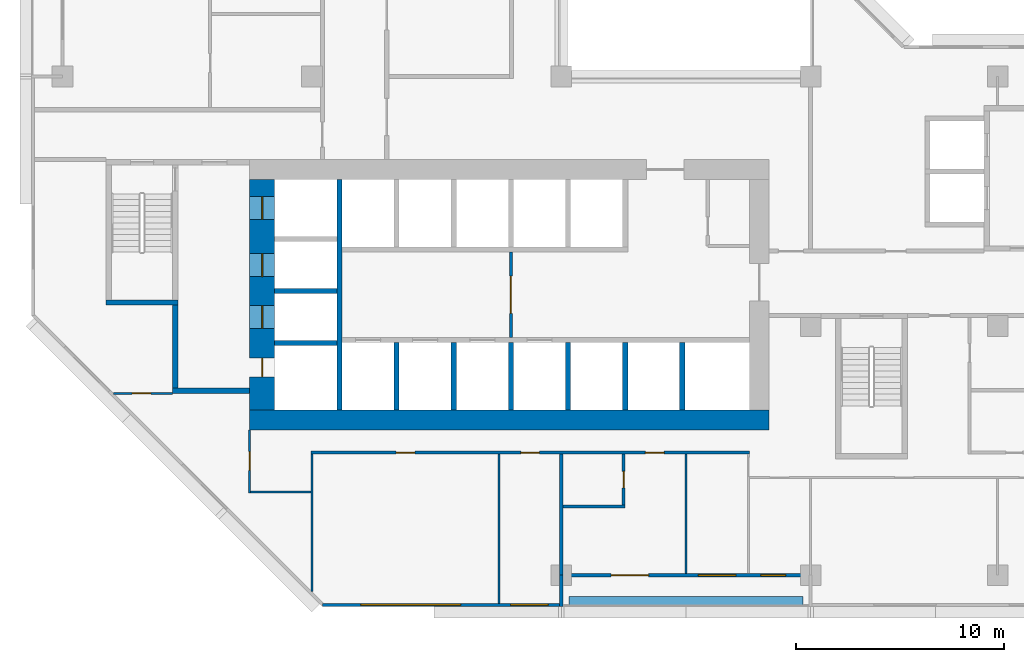
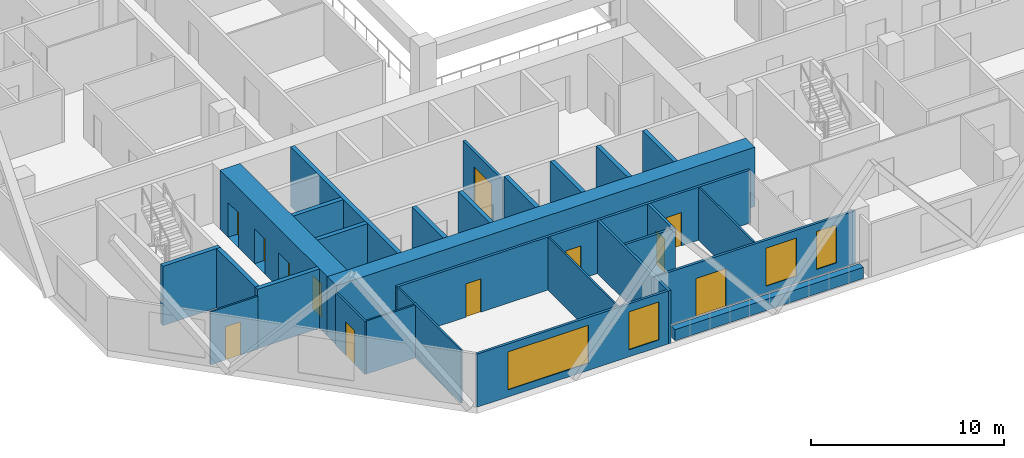
# One storey, part 4 of 14: 29 walls, 12 doors, 4 windows, 16 openings.
"""IFC4 building model written with IfcOpenShell, lengths in metres."""

from ifc_helpers import new_model, si_unit, direction, frame, frame_2d, origin, place, context, subcontext, project, spatial, rectangle, extrude, material, layer, layer_set, type_object, element, fill, save


model = new_model("IFC4")

# Units and contexts
model_context = context("Model", 3, precision=1e-05, world=origin(), true_north=direction((0.0, 1.0)))
body_context = subcontext(model_context, "Body", "Model", "MODEL_VIEW")
ifc_project = project(units=[si_unit("LENGTHUNIT", "METRE"), si_unit("AREAUNIT", "SQUARE_METRE"), si_unit("VOLUMEUNIT", "CUBIC_METRE"), si_unit("PLANEANGLEUNIT", "RADIAN"), si_unit("MASSUNIT", "GRAM", prefix="KILO")], contexts=[model_context])

# Site, building, storey
site_placement = place(None, origin())
site = spatial("IfcSite", under=ifc_project, at=site_placement, CompositionType="ELEMENT")
building_placement = place(site_placement, origin())
building = spatial("IfcBuilding", under=site, at=building_placement, Name="Chenar Terraces", CompositionType="ELEMENT")
storey_placement = place(building_placement, frame((0.0, 0.0, 91.89990234375)))
storey = spatial("IfcBuildingStorey", under=building, at=storey_placement, Name="L20", CompositionType="ELEMENT", Elevation=91.89990234375)

# Wall, opening, door
ifc_material_1 = material(Name="Gypsum board on steel studs", Category="steel")
ifc_layer_1 = layer(ifc_material_1, 0.14990234375)
ifc_layer_set_1 = layer_set([ifc_layer_1], Name="Gypsum board on steel studs")
wall_type_1 = type_object("IfcWallType", Name="Core partition 150 gypsum board", PredefinedType="PARTITIONING", material=ifc_layer_set_1)
wall_1_placement = place(storey_placement, frame((21.574951171875, 11.449951171875, 0.0), z_axis=(0.0, 0.0, 1.0), x_axis=(0.0, 1.0, 0.0)))
wall_1 = element("IfcWall", 1, at=wall_1_placement, inside=storey, type_object=wall_type_1, Name="Core partition CP1 lift lobby smoke stop", PredefinedType="PARTITIONING", context=body_context, shape_type="SweptSolid", body=[
    extrude(rectangle(XDim=4.10009765625, YDim=0.14990234375, at=frame_2d((2.050048828125, 0.0))), origin(), (0.0, 0.0, 1.0), 3.35009765625),
])
opening_1_placement = place(wall_1_placement, frame((1.14990234375, 0.0, 0.0)))
opening_1 = element("IfcOpeningElement", 2, at=opening_1_placement, cuts=wall_1, Name="Opening DL20-C12", PredefinedType="OPENING", context=body_context, shape_type="SweptSolid", body=[
    extrude(rectangle(XDim=1.800048828125, YDim=2.39990234375, at=frame_2d((0.89990234375, 1.199951171875))), frame((0.0, 0.0849609375, 0.0), z_axis=(0.0, -1.0, 0.0), x_axis=(1.0, 0.0, 0.0)), (0.0, 0.0, 1.0), 0.169921875),
])
ifc_material_2 = material(Name="Steel-framed fire-resisting door leaf", Category="steel")
door_type_1 = type_object("IfcDoorType", Name="Core entrance double fire door FD60 1800 x 2400", OperationType="DOUBLE_DOOR_SINGLE_SWING", PredefinedType="DOOR", material=ifc_material_2)
door_1_placement = place(opening_1_placement, frame((1.800048828125, 0.0, 0.0), z_axis=(0.0, 0.0, 1.0), x_axis=(-1.0, 0.0, 0.0)))
door_1 = element("IfcDoor", 3, at=door_1_placement, inside=storey, type_object=door_type_1, Name="Core door DL20-C12", OperationType="DOUBLE_DOOR_SINGLE_SWING", OverallHeight=2.39990234375, OverallWidth=1.800048828125, PredefinedType="DOOR", context=body_context, shape_type="SweptSolid", body=[
    extrude(rectangle(XDim=1.800048828125, YDim=2.39990234375, at=frame_2d((0.89990234375, 1.199951171875))), frame((0.0, 0.02490234375, 0.0), z_axis=(0.0, -1.0, 0.0), x_axis=(1.0, 0.0, 0.0)), (0.0, 0.0, 1.0), 0.050048828125),
])
fill(opening_1, door_1)

# Wall, openings, doors
ifc_material_3 = material(Name="Concrete C70/85", Category="concrete")
ifc_layer_2 = layer(ifc_material_3, 1.199951171875)
ifc_layer_set_2 = layer_set([ifc_layer_2], Name="Concrete C70/85")
wall_type_2 = type_object("IfcWallType", Name="Core wall 1200 Concrete C70/85", PredefinedType="SHEAR", material=ifc_layer_set_2)
wall_2_placement = place(storey_placement, frame((9.60009765625, 7.949951171875, 0.0), z_axis=(0.0, 0.0, 1.0), x_axis=(0.0, 1.0, 0.0)))
wall_2 = element("IfcWall", 4, at=wall_2_placement, inside=storey, type_object=wall_type_2, Name="Core wall W L20", PredefinedType="SHEAR", context=body_context, shape_type="SweptSolid", body=[
    extrude(rectangle(XDim=11.10009765625, YDim=1.199951171875, at=frame_2d((5.550048828125, 0.0))), origin(), (0.0, 0.0, 1.0), 3.75),
])
opening_2_placement = place(wall_2_placement, frame((3.925048828125, 0.0, 0.0)))
opening_2 = element("IfcOpeningElement", 5, at=opening_2_placement, cuts=wall_2, Name="Opening DL20-LD5", PredefinedType="OPENING", context=body_context, shape_type="SweptSolid", body=[
    extrude(rectangle(XDim=1.10009765625, YDim=2.199951171875, at=frame_2d((0.550048828125, 1.10009765625))), frame((0.0, 0.60986328125, 0.0), z_axis=(0.0, -1.0, 0.0), x_axis=(1.0, 0.0, 0.0)), (0.0, 0.0, 1.0), 1.219970703125),
])
opening_3_placement = place(wall_2_placement, frame((6.425048828125, 0.0, 0.0)))
opening_3 = element("IfcOpeningElement", 6, at=opening_3_placement, cuts=wall_2, Name="Opening DL20-LD6", PredefinedType="OPENING", context=body_context, shape_type="SweptSolid", body=[
    extrude(rectangle(XDim=1.10009765625, YDim=2.199951171875, at=frame_2d((0.550048828125, 1.10009765625))), frame((0.0, 0.60986328125, 0.0), z_axis=(0.0, -1.0, 0.0), x_axis=(1.0, 0.0, 0.0)), (0.0, 0.0, 1.0), 1.219970703125),
])
opening_4_placement = place(wall_2_placement, frame((9.175048828125, 0.0, 0.0)))
opening_4 = element("IfcOpeningElement", 7, at=opening_4_placement, cuts=wall_2, Name="Opening DL20-LD7", PredefinedType="OPENING", context=body_context, shape_type="SweptSolid", body=[
    extrude(rectangle(XDim=1.10009765625, YDim=2.199951171875, at=frame_2d((0.550048828125, 1.10009765625))), frame((0.0, 0.60986328125, 0.0), z_axis=(0.0, -1.0, 0.0), x_axis=(1.0, 0.0, 0.0)), (0.0, 0.0, 1.0), 1.219970703125),
])
opening_5_placement = place(wall_2_placement, frame((1.60009765625, 0.0, 0.0)))
opening_5 = element("IfcOpeningElement", 8, at=opening_5_placement, cuts=wall_2, Name="Opening DL20-C4", PredefinedType="OPENING", context=body_context, shape_type="SweptSolid", body=[
    extrude(rectangle(XDim=0.89990234375, YDim=2.10009765625, at=frame_2d((0.449951171875, 1.050048828125))), frame((0.0, 0.60986328125, 0.0), z_axis=(0.0, -1.0, 0.0), x_axis=(1.0, 0.0, 0.0)), (0.0, 0.0, 1.0), 1.219970703125),
])
ifc_material_4 = material(Name="Stainless steel", Category="steel")
door_type_2 = type_object("IfcDoorType", Name="Lift landing door 1100 x 2200 sliding", OperationType="DOUBLE_DOOR_SLIDING", PredefinedType="DOOR", material=ifc_material_4)
door_2_placement = place(opening_2_placement, origin())
door_2 = element("IfcDoor", 9, at=door_2_placement, inside=storey, type_object=door_type_2, Name="Landing door S1", OperationType="DOUBLE_DOOR_SLIDING", OverallHeight=2.199951171875, OverallWidth=1.10009765625, PredefinedType="DOOR", context=body_context, shape_type="SweptSolid", body=[
    extrude(rectangle(XDim=1.10009765625, YDim=2.199951171875, at=frame_2d((0.550048828125, 1.10009765625))), frame((0.0, 0.02490234375, 0.0), z_axis=(0.0, -1.0, 0.0), x_axis=(1.0, 0.0, 0.0)), (0.0, 0.0, 1.0), 0.050048828125),
])
fill(opening_2, door_2)
door_3_placement = place(opening_3_placement, origin())
door_3 = element("IfcDoor", 10, at=door_3_placement, inside=storey, type_object=door_type_2, Name="Landing door F1", OperationType="DOUBLE_DOOR_SLIDING", OverallHeight=2.199951171875, OverallWidth=1.10009765625, PredefinedType="DOOR", context=body_context, shape_type="SweptSolid", body=[
    extrude(rectangle(XDim=1.10009765625, YDim=2.199951171875, at=frame_2d((0.550048828125, 1.10009765625))), frame((0.0, 0.02490234375, 0.0), z_axis=(0.0, -1.0, 0.0), x_axis=(1.0, 0.0, 0.0)), (0.0, 0.0, 1.0), 0.050048828125),
])
fill(opening_3, door_3)
door_4_placement = place(opening_4_placement, origin())
door_4 = element("IfcDoor", 11, at=door_4_placement, inside=storey, type_object=door_type_2, Name="Landing door F2", OperationType="DOUBLE_DOOR_SLIDING", OverallHeight=2.199951171875, OverallWidth=1.10009765625, PredefinedType="DOOR", context=body_context, shape_type="SweptSolid", body=[
    extrude(rectangle(XDim=1.10009765625, YDim=2.199951171875, at=frame_2d((0.550048828125, 1.10009765625))), frame((0.0, 0.02490234375, 0.0), z_axis=(0.0, -1.0, 0.0), x_axis=(1.0, 0.0, 0.0)), (0.0, 0.0, 1.0), 0.050048828125),
])
fill(opening_4, door_4)
ifc_material_5 = material(Name="Steel-framed fire-resisting door leaf", Category="steel")
door_type_3 = type_object("IfcDoorType", Name="Riser fire door FD60 900 x 2100", OperationType="SINGLE_SWING_LEFT", PredefinedType="DOOR", material=ifc_material_5)
door_5_placement = place(opening_5_placement, frame((0.89990234375, 0.0, 0.0), z_axis=(0.0, 0.0, 1.0), x_axis=(-1.0, 0.0, 0.0)))
door_5 = element("IfcDoor", 12, at=door_5_placement, inside=storey, type_object=door_type_3, Name="Riser door DL20-C4", OperationType="SINGLE_SWING_LEFT", OverallHeight=2.10009765625, OverallWidth=0.89990234375, PredefinedType="DOOR", context=body_context, shape_type="SweptSolid", body=[
    extrude(rectangle(XDim=0.89990234375, YDim=2.10009765625, at=frame_2d((0.449951171875, 1.050048828125))), frame((0.0, 0.02490234375, 0.0), z_axis=(0.0, -1.0, 0.0), x_axis=(1.0, 0.0, 0.0)), (0.0, 0.0, 1.0), 0.050048828125),
])
fill(opening_5, door_5)

# Walls
ifc_material_6 = material(Name="Concrete C70/85", Category="concrete")
ifc_layer_3 = layer(ifc_material_6, 0.25)
ifc_layer_set_3 = layer_set([ifc_layer_3], Name="Concrete C70/85")
wall_type_3 = type_object("IfcWallType", Name="Core wall 250 Concrete C70/85", PredefinedType="SHEAR", material=ifc_layer_set_3)
wall_3_placement = place(storey_placement, frame((13.324951171875, 7.949951171875, 0.0), z_axis=(0.0, 0.0, 1.0), x_axis=(0.0, 1.0, 0.0)))
element("IfcWall", 13, at=wall_3_placement, inside=storey, type_object=wall_type_3, Name="Core wall WI L20", PredefinedType="SHEAR", context=body_context, shape_type="SweptSolid", body=[
    extrude(rectangle(XDim=11.10009765625, YDim=0.25, at=frame_2d((5.550048828125, 0.0))), origin(), (0.0, 0.0, 1.0), 3.75),
])
for number, where, z_axis, x_axis, name in (
    (14, (10.199951171875, 11.175048828125, 0.0), (0.0, 0.0, 1.0), (1.0, 0.0, 0.0), "Core wall HW0 L20"),
    (15, (10.199951171875, 13.675048828125, 0.0), (0.0, 0.0, 1.0), (1.0, 0.0, 0.0), "Core wall HW1 L20"),
):
    element("IfcWall", number, at=place(storey_placement, frame(where, z_axis=z_axis, x_axis=x_axis)), inside=storey, type_object=wall_type_3, Name=name, PredefinedType="SHEAR", context=body_context, shape_type="SweptSolid", body=[
        extrude(rectangle(XDim=3.0, YDim=0.25, at=frame_2d((1.5, 0.0))), origin(), (0.0, 0.0, 1.0), 3.75),
    ])
for number, where, z_axis, x_axis, name in (
    (16, (16.074951171875, 7.949951171875, 0.0), (0.0, 0.0, 1.0), (0.0, 1.0, 0.0), "Core wall SS0 L20"),
    (17, (18.824951171875, 7.949951171875, 0.0), (0.0, 0.0, 1.0), (0.0, 1.0, 0.0), "Core wall SS1 L20"),
    (18, (21.574951171875, 7.949951171875, 0.0), (0.0, 0.0, 1.0), (0.0, 1.0, 0.0), "Core wall SS2 L20"),
    (19, (24.324951171875, 7.949951171875, 0.0), (0.0, 0.0, 1.0), (0.0, 1.0, 0.0), "Core wall SS3 L20"),
    (20, (27.074951171875, 7.949951171875, 0.0), (0.0, 0.0, 1.0), (0.0, 1.0, 0.0), "Core wall SS4 L20"),
    (21, (29.824951171875, 7.949951171875, 0.0), (0.0, 0.0, 1.0), (0.0, 1.0, 0.0), "Core wall SS5 L20"),
):
    element("IfcWall", number, at=place(storey_placement, frame(where, z_axis=z_axis, x_axis=x_axis)), inside=storey, type_object=wall_type_3, Name=name, PredefinedType="SHEAR", context=body_context, shape_type="SweptSolid", body=[
        extrude(rectangle(XDim=3.25, YDim=0.25, at=frame_2d((1.625, 0.0))), origin(), (0.0, 0.0, 1.0), 3.75),
    ])
wall_4_placement = place(storey_placement, frame((2.10009765625, 13.125, 0.0), z_axis=(0.0, 0.0, 1.0), x_axis=(1.0, 0.0, 0.0)))
element("IfcWall", 22, at=wall_4_placement, inside=storey, type_object=wall_type_3, Name="Core wall ST1_S L20", PredefinedType="SHEAR", context=body_context, shape_type="SweptSolid", body=[
    extrude(rectangle(XDim=3.449951171875, YDim=0.25, at=frame_2d((1.72509765625, 0.0))), origin(), (0.0, 0.0, 1.0), 3.75),
])
wall_5_placement = place(storey_placement, frame((5.300048828125, 8.875, 0.0), z_axis=(0.0, 0.0, 1.0), x_axis=(1.0, 0.0, 0.0)))
element("IfcWall", 23, at=wall_5_placement, inside=storey, type_object=wall_type_3, Name="Core wall FFL_S L20", PredefinedType="SHEAR", context=body_context, shape_type="SweptSolid", body=[
    extrude(rectangle(XDim=3.699951171875, YDim=0.25, at=frame_2d((1.85009765625, 0.0))), origin(), (0.0, 0.0, 1.0), 3.75),
])
wall_6_placement = place(storey_placement, frame((5.425048828125, 9.0, 0.0), z_axis=(0.0, 0.0, 1.0), x_axis=(0.0, 1.0, 0.0)))
element("IfcWall", 24, at=wall_6_placement, inside=storey, type_object=wall_type_3, Name="Core wall FFL_W L20", PredefinedType="SHEAR", context=body_context, shape_type="SweptSolid", body=[
    extrude(rectangle(XDim=4.0, YDim=0.25, at=frame_2d((2.0, 0.0))), origin(), (0.0, 0.0, 1.0), 3.75),
])
ifc_material_7 = material(Name="Concrete C70/85", Category="concrete")
ifc_layer_4 = layer(ifc_material_7, 0.949951171875)
ifc_layer_set_4 = layer_set([ifc_layer_4], Name="Concrete C70/85")
wall_type_4 = type_object("IfcWallType", Name="Core wall 950 Concrete C70/85", PredefinedType="SHEAR", material=ifc_layer_set_4)
wall_7_placement = place(storey_placement, frame((9.0, 7.47509765625, 0.0), z_axis=(0.0, 0.0, 1.0), x_axis=(1.0, 0.0, 0.0)))
element("IfcWall", 25, at=wall_7_placement, inside=storey, type_object=wall_type_4, Name="Core wall S L20", PredefinedType="SHEAR", context=body_context, shape_type="SweptSolid", body=[
    extrude(rectangle(XDim=25.0, YDim=0.949951171875, at=frame_2d((12.5, 0.0))), origin(), (0.0, 0.0, 1.0), 3.75),
])

# Wall, openings, windows
ifc_material_8 = material(Name="Aluminium framed glazing", Category="aluminium")
ifc_layer_5 = layer(ifc_material_8, 0.14990234375)
ifc_layer_set_5 = layer_set([ifc_layer_5], Name="Aluminium framed glazing")
wall_type_5 = type_object("IfcWallType", Name="Glazed flush facade wall 150", PredefinedType="SOLIDWALL", material=ifc_layer_set_5)
wall_8_placement = place(storey_placement, frame((12.5, -1.425048828125, 0.0), z_axis=(0.0, 0.0, 1.0), x_axis=(1.0, 0.0, 0.0)))
wall_8 = element("IfcWall", 26, at=wall_8_placement, inside=storey, type_object=wall_type_5, Name="Glazed flush facade wall", PredefinedType="SOLIDWALL", context=body_context, shape_type="SweptSolid", body=[
    extrude(rectangle(XDim=11.425048828125, YDim=0.14990234375, at=frame_2d((5.71240234375, 0.0))), origin(), (0.0, 0.0, 1.0), 3.35009765625),
])
opening_6_placement = place(wall_8_placement, frame((1.85009765625, 0.0, 0.449951171875)))
opening_6 = element("IfcOpeningElement", 27, at=opening_6_placement, cuts=wall_8, Name="Opening W480x240", PredefinedType="OPENING", context=body_context, shape_type="SweptSolid", body=[
    extrude(rectangle(XDim=4.800048828125, YDim=2.39990234375, at=frame_2d((2.39990234375, 1.199951171875))), frame((0.0, 0.0849609375, 0.0), z_axis=(0.0, -1.0, 0.0), x_axis=(1.0, 0.0, 0.0)), (0.0, 0.0, 1.0), 0.169921875),
])
opening_7_placement = place(wall_8_placement, frame((9.0625, 0.0, 0.449951171875)))
opening_7 = element("IfcOpeningElement", 28, at=opening_7_placement, cuts=wall_8, Name="Opening W180x240", PredefinedType="OPENING", context=body_context, shape_type="SweptSolid", body=[
    extrude(rectangle(XDim=1.800048828125, YDim=2.39990234375, at=frame_2d((0.89990234375, 1.199951171875))), frame((0.0, 0.0849609375, 0.0), z_axis=(0.0, -1.0, 0.0), x_axis=(1.0, 0.0, 0.0)), (0.0, 0.0, 1.0), 0.169921875),
])
ifc_material_9 = material(Name="Low emissivity double glazing, aluminium frame", Category="aluminium")
window_type_1 = type_object("IfcWindowType", Name="Fixed light 1800 x 2400", PartitioningType="SINGLE_PANEL", PredefinedType="WINDOW", material=ifc_material_9)
window_1_placement = place(opening_7_placement, origin())
window_1 = element("IfcWindow", 29, at=window_1_placement, inside=storey, type_object=window_type_1, Name="Window", OverallHeight=2.39990234375, OverallWidth=1.800048828125, PartitioningType="SINGLE_PANEL", PredefinedType="WINDOW", context=body_context, shape_type="SweptSolid", body=[
    extrude(rectangle(XDim=1.800048828125, YDim=2.39990234375, at=frame_2d((0.89990234375, 1.199951171875))), frame((0.0, 0.030029296875, 0.0), z_axis=(0.0, -1.0, 0.0), x_axis=(1.0, 0.0, 0.0)), (0.0, 0.0, 1.0), 0.06005859375),
])
fill(opening_7, window_1)
ifc_material_10 = material(Name="Low emissivity double glazing, aluminium frame", Category="aluminium")
window_type_2 = type_object("IfcWindowType", Name="Fixed light 4800 x 2400", PartitioningType="SINGLE_PANEL", PredefinedType="WINDOW", material=ifc_material_10)
window_2_placement = place(opening_6_placement, origin())
window_2 = element("IfcWindow", 30, at=window_2_placement, inside=storey, type_object=window_type_2, Name="Window", OverallHeight=2.39990234375, OverallWidth=4.800048828125, PartitioningType="SINGLE_PANEL", PredefinedType="WINDOW", context=body_context, shape_type="SweptSolid", body=[
    extrude(rectangle(XDim=4.800048828125, YDim=2.39990234375, at=frame_2d((2.39990234375, 1.199951171875))), frame((0.0, 0.030029296875, 0.0), z_axis=(0.0, -1.0, 0.0), x_axis=(1.0, 0.0, 0.0)), (0.0, 0.0, 1.0), 0.06005859375),
])
fill(opening_6, window_2)

# Wall, openings, windows, door
ifc_material_11 = material(Name="Aluminium framed glazing", Category="aluminium")
ifc_layer_6 = layer(ifc_material_11, 0.14990234375)
ifc_layer_set_6 = layer_set([ifc_layer_6], Name="Aluminium framed glazing")
wall_type_6 = type_object("IfcWallType", Name="Glazed loggia back wall 150", PredefinedType="SOLIDWALL", material=ifc_layer_set_6)
wall_9_placement = place(storey_placement, frame((24.074951171875, 0.0, 0.0), z_axis=(0.0, 0.0, 1.0), x_axis=(1.0, 0.0, 0.0)))
wall_9 = element("IfcWall", 31, at=wall_9_placement, inside=storey, type_object=wall_type_6, Name="Glazed loggia back wall", PredefinedType="SOLIDWALL", context=body_context, shape_type="SweptSolid", body=[
    extrude(rectangle(XDim=11.85009765625, YDim=0.14990234375, at=frame_2d((5.925048828125, 0.0))), origin(), (0.0, 0.0, 1.0), 3.35009765625),
])
opening_8_placement = place(wall_9_placement, frame((2.324951171875, 0.0, 0.0)))
opening_8 = element("IfcOpeningElement", 32, at=opening_8_placement, cuts=wall_9, Name="Opening DL20-G6", PredefinedType="OPENING", context=body_context, shape_type="SweptSolid", body=[
    extrude(rectangle(XDim=1.800048828125, YDim=2.39990234375, at=frame_2d((0.89990234375, 1.199951171875))), frame((0.0, 0.0849609375, 0.0), z_axis=(0.0, -1.0, 0.0), x_axis=(1.0, 0.0, 0.0)), (0.0, 0.0, 1.0), 0.169921875),
])
opening_9_placement = place(wall_9_placement, frame((6.52490234375, 0.0, 0.449951171875)))
opening_9 = element("IfcOpeningElement", 33, at=opening_9_placement, cuts=wall_9, Name="Opening W180x240", PredefinedType="OPENING", context=body_context, shape_type="SweptSolid", body=[
    extrude(rectangle(XDim=1.800048828125, YDim=2.39990234375, at=frame_2d((0.89990234375, 1.199951171875))), frame((0.0, 0.0849609375, 0.0), z_axis=(0.0, -1.0, 0.0), x_axis=(1.0, 0.0, 0.0)), (0.0, 0.0, 1.0), 0.169921875),
])
opening_10_placement = place(wall_9_placement, frame((9.52490234375, 0.0, 0.449951171875)))
opening_10 = element("IfcOpeningElement", 34, at=opening_10_placement, cuts=wall_9, Name="Opening W120x240", PredefinedType="OPENING", context=body_context, shape_type="SweptSolid", body=[
    extrude(rectangle(XDim=1.199951171875, YDim=2.39990234375, at=frame_2d((0.60009765625, 1.199951171875))), frame((0.0, 0.0849609375, 0.0), z_axis=(0.0, -1.0, 0.0), x_axis=(1.0, 0.0, 0.0)), (0.0, 0.0, 1.0), 0.169921875),
])
ifc_material_12 = material(Name="Low emissivity double glazing, aluminium frame", Category="aluminium")
window_type_3 = type_object("IfcWindowType", Name="Fixed light 1200 x 2400", PartitioningType="SINGLE_PANEL", PredefinedType="WINDOW", material=ifc_material_12)
window_3_placement = place(opening_10_placement, origin())
window_3 = element("IfcWindow", 35, at=window_3_placement, inside=storey, type_object=window_type_3, Name="Window", OverallHeight=2.39990234375, OverallWidth=1.199951171875, PartitioningType="SINGLE_PANEL", PredefinedType="WINDOW", context=body_context, shape_type="SweptSolid", body=[
    extrude(rectangle(XDim=1.199951171875, YDim=2.39990234375, at=frame_2d((0.60009765625, 1.199951171875))), frame((0.0, 0.030029296875, 0.0), z_axis=(0.0, -1.0, 0.0), x_axis=(1.0, 0.0, 0.0)), (0.0, 0.0, 1.0), 0.06005859375),
])
fill(opening_10, window_3)
window_4_placement = place(opening_9_placement, origin())
window_4 = element("IfcWindow", 36, at=window_4_placement, inside=storey, type_object=window_type_1, Name="Window", OverallHeight=2.39990234375, OverallWidth=1.800048828125, PartitioningType="SINGLE_PANEL", PredefinedType="WINDOW", context=body_context, shape_type="SweptSolid", body=[
    extrude(rectangle(XDim=1.800048828125, YDim=2.39990234375, at=frame_2d((0.89990234375, 1.199951171875))), frame((0.0, 0.030029296875, 0.0), z_axis=(0.0, -1.0, 0.0), x_axis=(1.0, 0.0, 0.0)), (0.0, 0.0, 1.0), 0.06005859375),
])
fill(opening_9, window_4)
ifc_material_13 = material(Name="Low emissivity double glazing, aluminium frame", Category="aluminium")
door_type_4 = type_object("IfcDoorType", Name="Loggia glazed double door 1800 x 2400", OperationType="DOUBLE_DOOR_SINGLE_SWING", PredefinedType="DOOR", material=ifc_material_13)
door_6_placement = place(opening_8_placement, frame((1.800048828125, 0.0, 0.0), z_axis=(0.0, 0.0, 1.0), x_axis=(-1.0, 0.0, 0.0)))
door_6 = element("IfcDoor", 37, at=door_6_placement, inside=storey, type_object=door_type_4, Name="Loggia glazed door", OperationType="DOUBLE_DOOR_SINGLE_SWING", OverallHeight=2.39990234375, OverallWidth=1.800048828125, PredefinedType="DOOR", context=body_context, shape_type="SweptSolid", body=[
    extrude(rectangle(XDim=1.800048828125, YDim=2.39990234375, at=frame_2d((0.89990234375, 1.199951171875))), frame((0.0, 0.02490234375, 0.0), z_axis=(0.0, -1.0, 0.0), x_axis=(1.0, 0.0, 0.0)), (0.0, 0.0, 1.0), 0.050048828125),
])
fill(opening_8, door_6)

# Wall, opening, door
ifc_material_14 = material(Name="Gypsum board on steel studs", Category="steel")
ifc_layer_7 = layer(ifc_material_14, 0.10009765625)
ifc_layer_set_7 = layer_set([ifc_layer_7], Name="Gypsum board on steel studs")
wall_type_7 = type_object("IfcWallType", Name="Gypsum partition 100", PredefinedType="PARTITIONING", material=ifc_layer_set_7)
wall_10_placement = place(storey_placement, frame((2.4609375, 8.75, 0.0), z_axis=(0.0, 0.0, 1.0), x_axis=(1.0, 0.0, 0.0)))
wall_10 = element("IfcWall", 38, at=wall_10_placement, inside=storey, type_object=wall_type_7, Name="Partition L20-010", PredefinedType="PARTITIONING", context=body_context, shape_type="SweptSolid", body=[
    extrude(rectangle(XDim=2.839111328125, YDim=0.10009765625, at=frame_2d((1.41943359375, 0.0))), origin(), (0.0, 0.0, 1.0), 3.35009765625),
])
opening_11_placement = place(wall_10_placement, frame((0.888916015625, 0.0, 0.0)))
opening_11 = element("IfcOpeningElement", 39, at=opening_11_placement, cuts=wall_10, Name="Opening DL20-60", PredefinedType="OPENING", context=body_context, shape_type="SweptSolid", body=[
    extrude(rectangle(XDim=0.89990234375, YDim=2.10009765625, at=frame_2d((0.449951171875, 1.050048828125))), frame((0.0, 0.06005859375, 0.0), z_axis=(0.0, -1.0, 0.0), x_axis=(1.0, 0.0, 0.0)), (0.0, 0.0, 1.0), 0.1201171875),
])
ifc_material_15 = material(Name="Veneered timber door leaf", Category="wood")
door_type_5 = type_object("IfcDoorType", Name="Door 900 x 2100", OperationType="SINGLE_SWING_LEFT", PredefinedType="DOOR", material=ifc_material_15)
door_7_placement = place(opening_11_placement, frame((0.89990234375, 0.0, 0.0), z_axis=(0.0, 0.0, 1.0), x_axis=(-1.0, 0.0, 0.0)))
door_7 = element("IfcDoor", 40, at=door_7_placement, inside=storey, type_object=door_type_5, Name="Door DL20-60", OperationType="SINGLE_SWING_RIGHT", OverallHeight=2.10009765625, OverallWidth=0.89990234375, PredefinedType="DOOR", context=body_context, shape_type="SweptSolid", body=[
    extrude(rectangle(XDim=0.89990234375, YDim=2.10009765625, at=frame_2d((0.449951171875, 1.050048828125))), frame((0.0, 0.02490234375, 0.0), z_axis=(0.0, -1.0, 0.0), x_axis=(1.0, 0.0, 0.0)), (0.0, 0.0, 1.0), 0.050048828125),
])
fill(opening_11, door_7)

wall_11_placement = place(storey_placement, frame((9.0, 3.949951171875, 0.0), z_axis=(0.0, 0.0, 1.0), x_axis=(0.0, 1.0, 0.0)))
wall_11 = element("IfcWall", 41, at=wall_11_placement, inside=storey, type_object=wall_type_7, Name="Partition L20-033", PredefinedType="PARTITIONING", context=body_context, shape_type="SweptSolid", body=[
    extrude(rectangle(XDim=3.050048828125, YDim=0.10009765625, at=frame_2d((1.52490234375, 0.0))), origin(), (0.0, 0.0, 1.0), 3.35009765625),
])
opening_12_placement = place(wall_11_placement, frame((1.10009765625, 0.0, 0.0)))
opening_12 = element("IfcOpeningElement", 42, at=opening_12_placement, cuts=wall_11, Name="Opening DL20-59", PredefinedType="OPENING", context=body_context, shape_type="SweptSolid", body=[
    extrude(rectangle(XDim=0.89990234375, YDim=2.10009765625, at=frame_2d((0.449951171875, 1.050048828125))), frame((0.0, 0.06005859375, 0.0), z_axis=(0.0, -1.0, 0.0), x_axis=(1.0, 0.0, 0.0)), (0.0, 0.0, 1.0), 0.1201171875),
])
door_8_placement = place(opening_12_placement, origin())
door_8 = element("IfcDoor", 43, at=door_8_placement, inside=storey, type_object=door_type_5, Name="Door DL20-59", OperationType="SINGLE_SWING_LEFT", OverallHeight=2.10009765625, OverallWidth=0.89990234375, PredefinedType="DOOR", context=body_context, shape_type="SweptSolid", body=[
    extrude(rectangle(XDim=0.89990234375, YDim=2.10009765625, at=frame_2d((0.449951171875, 1.050048828125))), frame((0.0, 0.02490234375, 0.0), z_axis=(0.0, -1.0, 0.0), x_axis=(1.0, 0.0, 0.0)), (0.0, 0.0, 1.0), 0.050048828125),
])
fill(opening_12, door_8)

# Walls
wall_12_placement = place(storey_placement, frame((9.050048828125, 4.0, 0.0), z_axis=(0.0, 0.0, 1.0), x_axis=(1.0, 0.0, 0.0)))
element("IfcWall", 44, at=wall_12_placement, inside=storey, type_object=wall_type_7, Name="Partition L20-034", PredefinedType="PARTITIONING", context=body_context, shape_type="SweptSolid", body=[
    extrude(rectangle(XDim=2.89990234375, YDim=0.10009765625, at=frame_2d((1.449951171875, 0.0))), origin(), (0.0, 0.0, 1.0), 3.35009765625),
])
wall_13_placement = place(storey_placement, frame((12.0, -0.787841796875, 0.0), z_axis=(0.0, 0.0, 1.0), x_axis=(0.0, 1.0, 0.0)))
element("IfcWall", 45, at=wall_13_placement, inside=storey, type_object=wall_type_7, Name="Partition L20-036", PredefinedType="PARTITIONING", context=body_context, shape_type="SweptSolid", body=[
    extrude(rectangle(XDim=6.61279296875, YDim=0.10009765625, at=frame_2d((3.306396484375, 0.0))), origin(), (0.0, 0.0, 1.0), 3.35009765625),
])
wall_14_placement = place(storey_placement, frame((21.0, -1.35009765625, 0.0), z_axis=(0.0, 0.0, 1.0), x_axis=(0.0, 1.0, 0.0)))
element("IfcWall", 46, at=wall_14_placement, inside=storey, type_object=wall_type_7, Name="Partition L20-059", PredefinedType="PARTITIONING", context=body_context, shape_type="SweptSolid", body=[
    extrude(rectangle(XDim=7.175048828125, YDim=0.10009765625, at=frame_2d((3.58740234375, 0.0))), origin(), (0.0, 0.0, 1.0), 3.35009765625),
])
wall_15_placement = place(storey_placement, frame((30.0, 0.073974609375, 0.0), z_axis=(0.0, 0.0, 1.0), x_axis=(0.0, 1.0, 0.0)))
element("IfcWall", 47, at=wall_15_placement, inside=storey, type_object=wall_type_7, Name="Partition L20-064", PredefinedType="PARTITIONING", context=body_context, shape_type="SweptSolid", body=[
    extrude(rectangle(XDim=5.7509765625, YDim=0.10009765625, at=frame_2d((2.87548828125, 0.0))), origin(), (0.0, 0.0, 1.0), 3.35009765625),
])
ifc_material_16 = material(Name="Terracotta cladding on insulated backing", Category="masonry")
ifc_layer_8 = layer(ifc_material_16, 0.14990234375)
ifc_layer_set_8 = layer_set([ifc_layer_8], Name="Terracotta cladding on insulated backing")
wall_type_8 = type_object("IfcWallType", Name="Loggia return wall 150", PredefinedType="SOLIDWALL", material=ifc_layer_set_8)
wall_16_placement = place(storey_placement, frame((24.0, -1.5, 0.0), z_axis=(0.0, 0.0, 1.0), x_axis=(0.0, 1.0, 0.0)))
element("IfcWall", 48, at=wall_16_placement, inside=storey, type_object=wall_type_8, Name="Loggia return wall", PredefinedType="SOLIDWALL", context=body_context, shape_type="SweptSolid", body=[
    extrude(rectangle(XDim=1.5, YDim=0.14990234375, at=frame_2d((0.75, 0.0))), origin(), (0.0, 0.0, 1.0), 3.35009765625),
])
ifc_material_17 = material(Name="GRP planter trough")
ifc_layer_9 = layer(ifc_material_17, 0.39990234375)
ifc_layer_set_9 = layer_set([ifc_layer_9], Name="GRP planter trough")
wall_type_9 = type_object("IfcWallType", Name="Vertical greenery planter 400", PredefinedType="SOLIDWALL", material=ifc_layer_set_9)
wall_17_placement = place(storey_placement, frame((24.375, -1.22900390625, 0.0), z_axis=(0.0, 0.0, 1.0), x_axis=(1.0, 0.0, 0.0)))
element("IfcWall", 49, at=wall_17_placement, inside=storey, type_object=wall_type_9, Name="Vertical greenery planter", PredefinedType="SOLIDWALL", context=body_context, shape_type="SweptSolid", body=[
    extrude(rectangle(XDim=11.25, YDim=0.39990234375, at=frame_2d((5.625, 0.0))), origin(), (0.0, 0.0, 1.0), 0.7001953125),
])

# Wall, openings, doors
ifc_material_18 = material(Name="Moisture-resistant gypsum board on steel studs", Category="steel")
ifc_layer_10 = layer(ifc_material_18, 0.14990234375)
ifc_layer_set_10 = layer_set([ifc_layer_10], Name="Moisture-resistant gypsum board on steel studs")
wall_type_10 = type_object("IfcWallType", Name="Wet-room partition 150", PredefinedType="PARTITIONING", material=ifc_layer_set_10)
wall_18_placement = place(storey_placement, frame((11.949951171875, 5.89990234375, 0.0), z_axis=(0.0, 0.0, 1.0), x_axis=(1.0, 0.0, 0.0)))
wall_18 = element("IfcWall", 50, at=wall_18_placement, inside=storey, type_object=wall_type_10, Name="Partition L20-035", PredefinedType="PARTITIONING", context=body_context, shape_type="SweptSolid", body=[
    extrude(rectangle(XDim=21.10009765625, YDim=0.14990234375, at=frame_2d((10.550048828125, 0.0))), origin(), (0.0, 0.0, 1.0), 3.35009765625),
])
opening_13_placement = place(wall_18_placement, frame((10.10009765625, 0.0, 0.0)))
opening_13 = element("IfcOpeningElement", 51, at=opening_13_placement, cuts=wall_18, Name="Opening DL20-55", PredefinedType="OPENING", context=body_context, shape_type="SweptSolid", body=[
    extrude(rectangle(XDim=0.89990234375, YDim=2.10009765625, at=frame_2d((0.449951171875, 1.050048828125))), frame((0.0, 0.0849609375, 0.0), z_axis=(0.0, -1.0, 0.0), x_axis=(1.0, 0.0, 0.0)), (0.0, 0.0, 1.0), 0.169921875),
])
opening_14_placement = place(wall_18_placement, frame((16.10009765625, 0.0, 0.0)))
opening_14 = element("IfcOpeningElement", 52, at=opening_14_placement, cuts=wall_18, Name="Opening DL20-61", PredefinedType="OPENING", context=body_context, shape_type="SweptSolid", body=[
    extrude(rectangle(XDim=0.89990234375, YDim=2.10009765625, at=frame_2d((0.449951171875, 1.050048828125))), frame((0.0, 0.0849609375, 0.0), z_axis=(0.0, -1.0, 0.0), x_axis=(1.0, 0.0, 0.0)), (0.0, 0.0, 1.0), 0.169921875),
])
opening_15_placement = place(wall_18_placement, frame((4.10009765625, 0.0, 0.0)))
opening_15 = element("IfcOpeningElement", 53, at=opening_15_placement, cuts=wall_18, Name="Opening DL20-65", PredefinedType="OPENING", context=body_context, shape_type="SweptSolid", body=[
    extrude(rectangle(XDim=0.89990234375, YDim=2.10009765625, at=frame_2d((0.449951171875, 1.050048828125))), frame((0.0, 0.0849609375, 0.0), z_axis=(0.0, -1.0, 0.0), x_axis=(1.0, 0.0, 0.0)), (0.0, 0.0, 1.0), 0.169921875),
])
door_9_placement = place(opening_13_placement, frame((0.89990234375, 0.0, 0.0), z_axis=(0.0, 0.0, 1.0), x_axis=(-1.0, 0.0, 0.0)))
door_9 = element("IfcDoor", 54, at=door_9_placement, inside=storey, type_object=door_type_5, Name="Door DL20-55", OperationType="SINGLE_SWING_RIGHT", OverallHeight=2.10009765625, OverallWidth=0.89990234375, PredefinedType="DOOR", context=body_context, shape_type="SweptSolid", body=[
    extrude(rectangle(XDim=0.89990234375, YDim=2.10009765625, at=frame_2d((0.449951171875, 1.050048828125))), frame((0.0, 0.02490234375, 0.0), z_axis=(0.0, -1.0, 0.0), x_axis=(1.0, 0.0, 0.0)), (0.0, 0.0, 1.0), 0.050048828125),
])
fill(opening_13, door_9)
door_10_placement = place(opening_14_placement, frame((0.89990234375, 0.0, 0.0), z_axis=(0.0, 0.0, 1.0), x_axis=(-1.0, 0.0, 0.0)))
door_10 = element("IfcDoor", 55, at=door_10_placement, inside=storey, type_object=door_type_5, Name="Door DL20-61", OperationType="SINGLE_SWING_RIGHT", OverallHeight=2.10009765625, OverallWidth=0.89990234375, PredefinedType="DOOR", context=body_context, shape_type="SweptSolid", body=[
    extrude(rectangle(XDim=0.89990234375, YDim=2.10009765625, at=frame_2d((0.449951171875, 1.050048828125))), frame((0.0, 0.02490234375, 0.0), z_axis=(0.0, -1.0, 0.0), x_axis=(1.0, 0.0, 0.0)), (0.0, 0.0, 1.0), 0.050048828125),
])
fill(opening_14, door_10)
door_11_placement = place(opening_15_placement, frame((0.89990234375, 0.0, 0.0), z_axis=(0.0, 0.0, 1.0), x_axis=(-1.0, 0.0, 0.0)))
door_11 = element("IfcDoor", 56, at=door_11_placement, inside=storey, type_object=door_type_5, Name="Door DL20-65", OperationType="SINGLE_SWING_RIGHT", OverallHeight=2.10009765625, OverallWidth=0.89990234375, PredefinedType="DOOR", context=body_context, shape_type="SweptSolid", body=[
    extrude(rectangle(XDim=0.89990234375, YDim=2.10009765625, at=frame_2d((0.449951171875, 1.050048828125))), frame((0.0, 0.02490234375, 0.0), z_axis=(0.0, -1.0, 0.0), x_axis=(1.0, 0.0, 0.0)), (0.0, 0.0, 1.0), 0.050048828125),
])
fill(opening_15, door_11)

# Walls
wall_19_placement = place(storey_placement, frame((24.0, 0.0, 0.0), z_axis=(0.0, 0.0, 1.0), x_axis=(0.0, 1.0, 0.0)))
element("IfcWall", 57, at=wall_19_placement, inside=storey, type_object=wall_type_10, Name="Partition L20-061", PredefinedType="PARTITIONING", context=body_context, shape_type="SweptSolid", body=[
    extrude(rectangle(XDim=5.824951171875, YDim=0.14990234375, at=frame_2d((2.91259765625, 0.0))), origin(), (0.0, 0.0, 1.0), 3.35009765625),
])
wall_20_placement = place(storey_placement, frame((24.074951171875, 3.300048828125, 0.0), z_axis=(0.0, 0.0, 1.0), x_axis=(1.0, 0.0, 0.0)))
element("IfcWall", 58, at=wall_20_placement, inside=storey, type_object=wall_type_10, Name="Partition L20-062", PredefinedType="PARTITIONING", context=body_context, shape_type="SweptSolid", body=[
    extrude(rectangle(XDim=3.0, YDim=0.14990234375, at=frame_2d((1.5, 0.0))), origin(), (0.0, 0.0, 1.0), 3.35009765625),
])

# Wall, opening, door
wall_21_placement = place(storey_placement, frame((27.0, 3.375, 0.0), z_axis=(0.0, 0.0, 1.0), x_axis=(0.0, 1.0, 0.0)))
wall_21 = element("IfcWall", 59, at=wall_21_placement, inside=storey, type_object=wall_type_10, Name="Partition L20-063", PredefinedType="PARTITIONING", context=body_context, shape_type="SweptSolid", body=[
    extrude(rectangle(XDim=2.449951171875, YDim=0.14990234375, at=frame_2d((1.22509765625, 0.0))), origin(), (0.0, 0.0, 1.0), 3.35009765625),
])
opening_16_placement = place(wall_21_placement, frame((0.824951171875, 0.0, 0.0)))
opening_16 = element("IfcOpeningElement", 60, at=opening_16_placement, cuts=wall_21, Name="Opening DL20-62", PredefinedType="OPENING", context=body_context, shape_type="SweptSolid", body=[
    extrude(rectangle(XDim=0.800048828125, YDim=2.10009765625, at=frame_2d((0.39990234375, 1.050048828125))), frame((0.0, 0.0849609375, 0.0), z_axis=(0.0, -1.0, 0.0), x_axis=(1.0, 0.0, 0.0)), (0.0, 0.0, 1.0), 0.169921875),
])
ifc_material_19 = material(Name="Veneered timber door leaf", Category="wood")
door_type_6 = type_object("IfcDoorType", Name="Door 800 x 2100", OperationType="SINGLE_SWING_LEFT", PredefinedType="DOOR", material=ifc_material_19)
door_12_placement = place(opening_16_placement, origin())
door_12 = element("IfcDoor", 61, at=door_12_placement, inside=storey, type_object=door_type_6, Name="Door DL20-62", OperationType="SINGLE_SWING_RIGHT", OverallHeight=2.10009765625, OverallWidth=0.800048828125, PredefinedType="DOOR", context=body_context, shape_type="SweptSolid", body=[
    extrude(rectangle(XDim=0.800048828125, YDim=2.10009765625, at=frame_2d((0.39990234375, 1.050048828125))), frame((0.0, 0.02490234375, 0.0), z_axis=(0.0, -1.0, 0.0), x_axis=(1.0, 0.0, 0.0)), (0.0, 0.0, 1.0), 0.050048828125),
])
fill(opening_16, door_12)

save(model, "model.ifc")
